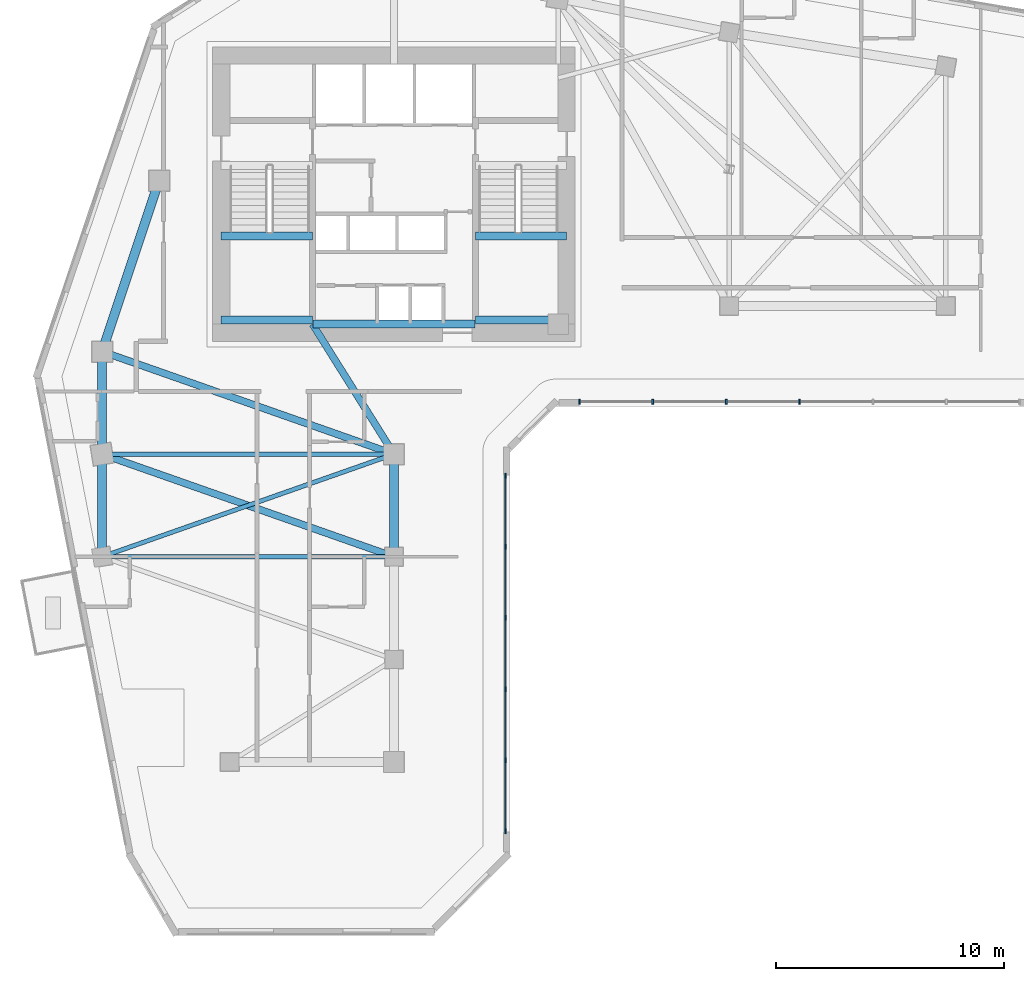
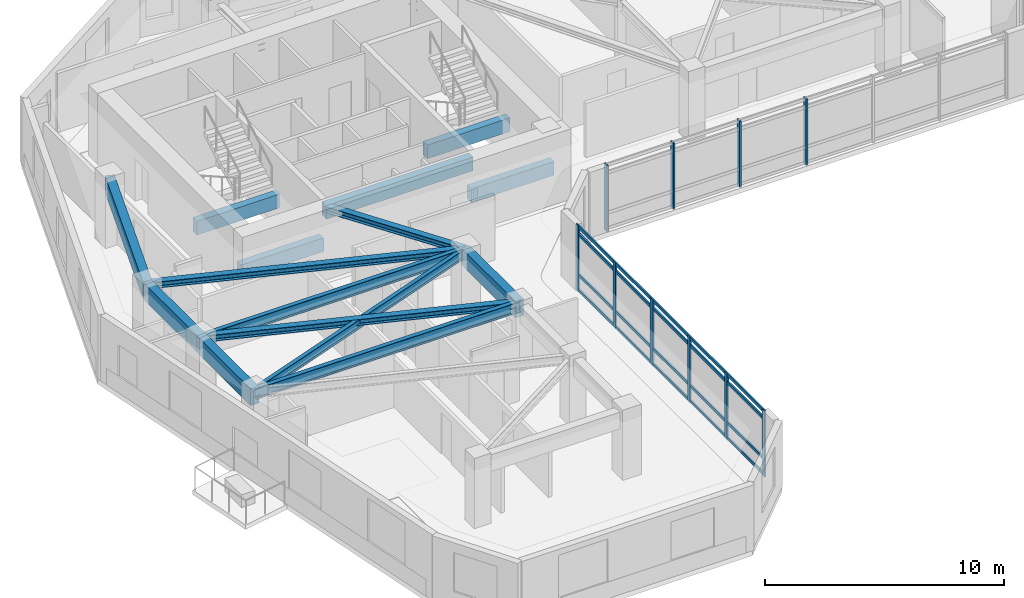
# One storey, part 2 of 11: 15 beams, 14 members, 2 elements without a shape of their own.
"""IFC4 building model written with IfcOpenShell, lengths in metres."""

from ifc_helpers import new_model, si_unit, direction, frame, origin, origin_2d, place, context, subcontext, project, spatial, rectangle, i_section, extrude, source, transform, mapped, material, material_profile, profile_set, type_object, element, aggregate, save


model = new_model("IFC4")

# Units and contexts
model_context = context("Model", 3, precision=1e-05, world=origin(), true_north=direction((0.0, 1.0)))
body_context = subcontext(model_context, "Body", "Model", "MODEL_VIEW")
ifc_project = project(units=[si_unit("LENGTHUNIT", "METRE"), si_unit("AREAUNIT", "SQUARE_METRE"), si_unit("VOLUMEUNIT", "CUBIC_METRE"), si_unit("PLANEANGLEUNIT", "RADIAN"), si_unit("MASSUNIT", "GRAM", prefix="KILO")], contexts=[model_context])

# Site, building, storey
site_placement = place(None, origin())
site = spatial("IfcSite", under=ifc_project, at=site_placement, CompositionType="ELEMENT")
building_placement = place(site_placement, origin())
building = spatial("IfcBuilding", under=site, at=building_placement, Name="Calvemar Wedge Station Tower", CompositionType="ELEMENT")
storey_placement = place(building_placement, frame((0.0, 0.0, 117.800048828125)))
storey = spatial("IfcBuildingStorey", under=building, at=storey_placement, Name="L28", CompositionType="ELEMENT", Elevation=117.800048828125)

# Beams
ifc_material_1 = material(Name="Concrete C60", Category="concrete")
ifc_material_profile_1 = material_profile(ifc_material_1, rectangle(XDim=0.39990234375, YDim=0.85009765625, at=origin_2d()), Name="RC400x850")
ifc_profile_set_1 = profile_set([ifc_material_profile_1], Name="Concrete C60")
beam_type_1 = type_object("IfcBeamType", Name="BM-SP1-850", PredefinedType="SPANDREL", material=ifc_profile_set_1)
shared_shape_1 = source(origin(), body_context, "Body", "SweptSolid", [
    extrude(rectangle(XDim=0.39990234375, YDim=0.85009765625, at=origin_2d()), origin(), (0.0, 0.0, 1.0), 7.90576171875),
])
beam_1_placement = place(storey_placement, frame((11.0, 33.0, 2.925048828125), z_axis=(0.316227766017, 0.948683298051, 0.0), x_axis=(-0.948683298051, 0.316227766017, 0.0)))
element("IfcBeam", 1, at=beam_1_placement, inside=storey, type_object=beam_type_1, Name="Storey L28 Spandrel T-NW1-T-NW2", PredefinedType="SPANDREL", context=body_context, shape_type="MappedRepresentation", body=[
    mapped(shared_shape_1, transform((0.0, 0.0, 0.0), scale=1.0)),
])
shared_shape_2 = source(origin(), body_context, "Body", "SweptSolid", [
    extrude(rectangle(XDim=0.39990234375, YDim=0.85009765625, at=origin_2d()), origin(), (0.0, 0.0, 1.0), 4.5),
])
for number, where, z_axis, x_axis, name in (
    (2, (11.0, 33.0, 2.925048828125), (0.0, -1.0, 0.0), (1.0, 0.0, 0.0), "Storey L28 Spandrel T-NW1-T-SW1"),
    (3, (11.0, 28.5, 2.925048828125), (0.0, -1.0, 0.0), (1.0, 0.0, 0.0), "Storey L28 Spandrel T-SW1-T-SW2"),
    (4, (23.800048828125, 28.5, 2.925048828125), (0.0, -1.0, 0.0), (1.0, 0.0, 0.0), "Storey L28 Spandrel T-SE1-T-SE2"),
):
    element("IfcBeam", number, at=place(storey_placement, frame(where, z_axis=z_axis, x_axis=x_axis)), inside=storey, type_object=beam_type_1, Name=name, PredefinedType="SPANDREL", context=body_context, shape_type="MappedRepresentation", body=[
        mapped(shared_shape_2, transform((0.0, 0.0, 0.0), scale=1.0)),
    ])
ifc_material_2 = material(Name="Concrete C70", Category="concrete")
ifc_material_profile_2 = material_profile(ifc_material_2, rectangle(XDim=0.35009765625, YDim=0.699951171875, at=origin_2d()), Name="RC350x700")
ifc_profile_set_2 = profile_set([ifc_material_profile_2], Name="Concrete C70")
beam_type_2 = type_object("IfcBeamType", Name="BM-LN1-700", PredefinedType="LINTEL", material=ifc_profile_set_2)
shared_shape_3 = source(origin(), body_context, "Body", "SweptSolid", [
    extrude(rectangle(XDim=0.35009765625, YDim=0.699951171875, at=origin_2d()), origin(), (0.0, 0.0, 1.0), 7.10009765625),
])
beam_2_placement = place(storey_placement, frame((20.25, 34.199951171875, 3.0), z_axis=(1.0, 0.0, 0.0), x_axis=(0.0, 1.0, 0.0)))
element("IfcBeam", 5, at=beam_2_placement, inside=storey, type_object=beam_type_2, Name="Storey L28 Core Coupling Lintel South", PredefinedType="LINTEL", context=body_context, shape_type="MappedRepresentation", body=[
    mapped(shared_shape_3, transform((0.0, 0.0, 0.0), scale=1.0)),
])
ifc_material_3 = material(Name="Structural steel ASTM A572 Grade 50", Category="steel")
ifc_material_profile_3 = material_profile(ifc_material_3, i_section(OverallWidth=0.30908203125, OverallDepth=0.322998046875, WebThickness=0.013916015625, FlangeThickness=0.02294921875, FilletRadius=0.014892578125, at=origin_2d()), Name="W310x143")
ifc_profile_set_3 = profile_set([ifc_material_profile_3], Name="Structural steel ASTM A572 Grade 50")
beam_type_3 = type_object("IfcBeamType", Name="BM-J5-W310H", PredefinedType="JOIST", material=ifc_profile_set_3)
shared_shape_4 = source(origin(), body_context, "Body", "SweptSolid", [
    extrude(i_section(OverallWidth=0.30908203125, OverallDepth=0.322998046875, WebThickness=0.013916015625, FlangeThickness=0.02294921875, FilletRadius=0.014892578125, at=origin_2d()), origin(), (0.0, 0.0, 1.0), 13.568115234375),
])
for number, where, z_axis, x_axis, name in (
    (6, (11.0, 33.0, 3.1884765625), (0.943398221169, -0.331662171939, 0.0), (0.331662171939, 0.943398221169, 0.0), "Storey L28 Floor Beam T-NW1-T-SE1"),
    (7, (11.0, 28.5, 3.1884765625), (0.943398221169, -0.331662171939, 0.0), (0.331662171939, 0.943398221169, 0.0), "Storey L28 Floor Beam T-SW1-T-SE2"),
):
    element("IfcBeam", number, at=place(storey_placement, frame(where, z_axis=z_axis, x_axis=x_axis)), inside=storey, type_object=beam_type_3, Name=name, PredefinedType="JOIST", context=body_context, shape_type="MappedRepresentation", body=[
        mapped(shared_shape_4, transform((0.0, 0.0, 0.0), scale=1.0)),
    ])
ifc_material_profile_4 = material_profile(ifc_material_3, i_section(OverallWidth=0.19189453125, OverallDepth=0.462890625, WebThickness=0.010498046875, FlangeThickness=0.017578125, FilletRadius=0.012939453125, at=origin_2d()), Name="W460x89")
ifc_profile_set_4 = profile_set([ifc_material_profile_4], Name="Structural steel ASTM A572 Grade 50")
beam_type_4 = type_object("IfcBeamType", Name="BM-J1-W460", PredefinedType="JOIST", material=ifc_profile_set_4)
shared_shape_5 = source(origin(), body_context, "Body", "SweptSolid", [
    extrude(i_section(OverallWidth=0.19189453125, OverallDepth=0.462890625, WebThickness=0.010498046875, FlangeThickness=0.017578125, FilletRadius=0.012939453125, at=origin_2d()), origin(), (0.0, 0.0, 1.0), 13.568115234375),
])
beam_3_placement = place(storey_placement, frame((23.800048828125, 28.5, 3.118408203125), z_axis=(-0.943398221169, -0.331662171939, 0.0), x_axis=(0.331662171939, -0.943398221169, 0.0)))
element("IfcBeam", 8, at=beam_3_placement, inside=storey, type_object=beam_type_4, Name="Storey L28 Floor Beam T-SE1-T-SW2", PredefinedType="JOIST", context=body_context, shape_type="MappedRepresentation", body=[
    mapped(shared_shape_5, transform((0.0, 0.0, 0.0), scale=1.0)),
])
shared_shape_6 = source(origin(), body_context, "Body", "SweptSolid", [
    extrude(i_section(OverallWidth=0.30908203125, OverallDepth=0.322998046875, WebThickness=0.013916015625, FlangeThickness=0.02294921875, FilletRadius=0.014892578125, at=origin_2d()), origin(), (0.0, 0.0, 1.0), 6.7255859375),
])
beam_4_placement = place(storey_placement, frame((20.22998046875, 34.199951171875, 3.1884765625), z_axis=(0.530811158438, -0.847490126242, 0.0), x_axis=(0.847490126242, 0.530811158438, 0.0)))
element("IfcBeam", 9, at=beam_4_placement, inside=storey, type_object=beam_type_3, Name="Storey L28 Core-to-Column Joist CJ-S2", PredefinedType="JOIST", context=body_context, shape_type="MappedRepresentation", body=[
    mapped(shared_shape_6, transform((0.0, 0.0, 0.0), scale=1.0)),
])
shared_shape_7 = source(origin(), body_context, "Body", "SweptSolid", [
    extrude(rectangle(XDim=0.35009765625, YDim=0.699951171875, at=origin_2d()), origin(), (0.0, 0.0, 1.0), 4.0048828125),
])
for number, where, z_axis, x_axis, name in (
    (10, (16.22509765625, 34.3798828125, 1.25), (1.0, 0.0, 0.0), (0.0, 1.0, 0.0), "Storey L28 Stair ST-C1 Half-Landing Beam 1A"),
    (11, (16.22509765625, 38.070068359375, 1.25), (1.0, 0.0, 0.0), (0.0, 1.0, 0.0), "Storey L28 Stair ST-C1 Half-Landing Beam 1B"),
    (12, (27.3701171875, 34.3798828125, 1.25), (1.0, 0.0, 0.0), (0.0, 1.0, 0.0), "Storey L28 Stair ST-C2 Half-Landing Beam 1A"),
    (13, (27.3701171875, 38.070068359375, 1.25), (1.0, 0.0, 0.0), (0.0, 1.0, 0.0), "Storey L28 Stair ST-C2 Half-Landing Beam 1B"),
):
    element("IfcBeam", number, at=place(storey_placement, frame(where, z_axis=z_axis, x_axis=x_axis)), inside=storey, type_object=beam_type_2, Name=name, PredefinedType="LINTEL", context=body_context, shape_type="MappedRepresentation", body=[
        mapped(shared_shape_7, transform((0.0, 0.0, 0.0), scale=1.0)),
    ])
ifc_material_profile_5 = material_profile(ifc_material_3, i_section(OverallWidth=0.2109375, OverallDepth=0.5390625, WebThickness=0.01171875, FlangeThickness=0.018798828125, FilletRadius=0.012939453125, at=origin_2d()), Name="W530x109")
ifc_profile_set_5 = profile_set([ifc_material_profile_5], Name="Structural steel ASTM A572 Grade 50")
beam_type_5 = type_object("IfcBeamType", Name="BM-SB4-W530", PredefinedType="BEAM", material=ifc_profile_set_5)
shared_shape_8 = source(origin(), body_context, "Body", "SweptSolid", [
    extrude(i_section(OverallWidth=0.2109375, OverallDepth=0.5390625, WebThickness=0.01171875, FlangeThickness=0.018798828125, FilletRadius=0.012939453125, at=origin_2d()), origin(), (0.0, 0.0, 1.0), 12.800048828125),
])
for number, where, z_axis, x_axis, name in (
    (14, (11.0, 28.5, 3.08056640625), (1.0, 0.0, 0.0), (0.0, 1.0, 0.0), "Storey L28 Floor Beam T-SW1-T-SE1"),
    (15, (11.0, 24.0, 3.08056640625), (1.0, 0.0, 0.0), (0.0, 1.0, 0.0), "Storey L28 Floor Beam T-SW2-T-SE2"),
):
    element("IfcBeam", number, at=place(storey_placement, frame(where, z_axis=z_axis, x_axis=x_axis)), inside=storey, type_object=beam_type_5, Name=name, PredefinedType="BEAM", context=body_context, shape_type="MappedRepresentation", body=[
        mapped(shared_shape_8, transform((0.0, 0.0, 0.0), scale=1.0)),
    ])

# Curtain wall, members
ifc_material_4 = material(Name="Anodised aluminium 6063-T6", Category="aluminium")
curtain_wall_type = type_object("IfcCurtainWallType", Name="CW2", PredefinedType="NOTDEFINED", material=ifc_material_4)
curtain_wall_1_placement = place(storey_placement, origin())
curtain_wall_1 = element("IfcCurtainWall", 16, at=curtain_wall_1_placement, inside=storey, type_object=curtain_wall_type, Name="Storey L28 CW2 Recessed Unitised Curtain Wall 4", PredefinedType="NOTDEFINED")
ifc_material_profile_6 = material_profile(ifc_material_4, rectangle(XDim=0.074951171875, YDim=0.219970703125, at=origin_2d()), Name="AL-MUL-75x220")
ifc_profile_set_6 = profile_set([ifc_material_profile_6], Name="Anodised aluminium 6063-T6")
member_type_1 = type_object("IfcMemberType", Name="CW2-MUL", PredefinedType="MULLION", material=ifc_profile_set_6)
shared_shape_9 = source(origin(), body_context, "Body", "SweptSolid", [
    extrude(rectangle(XDim=0.074951171875, YDim=0.219970703125, at=origin_2d()), origin(), (0.0, 0.0, 1.0), 3.39990234375),
])
member_1_placement = place(storey_placement, frame((28.68603515625, 11.962158203125, -0.050048828125), z_axis=(0.0, 0.0, 1.0), x_axis=(1.0, 0.0, 0.0)))
member_1 = element("IfcMember", 17, at=member_1_placement, type_object=member_type_1, Name="CW2 mullion 1", PredefinedType="MULLION", context=body_context, shape_type="MappedRepresentation", body=[
    mapped(shared_shape_9, transform((0.0, 0.0, 0.0), scale=1.0)),
])
member_2_placement = place(storey_placement, frame((28.68603515625, 15.08056640625, -0.050048828125), z_axis=(0.0, 0.0, 1.0), x_axis=(1.0, 0.0, 0.0)))
member_2 = element("IfcMember", 18, at=member_2_placement, type_object=member_type_1, Name="CW2 mullion 2", PredefinedType="MULLION", context=body_context, shape_type="MappedRepresentation", body=[
    mapped(shared_shape_9, transform((0.0, 0.0, 0.0), scale=1.0)),
])
member_3_placement = place(storey_placement, frame((28.68603515625, 18.198974609375, -0.050048828125), z_axis=(0.0, 0.0, 1.0), x_axis=(1.0, 0.0, 0.0)))
member_3 = element("IfcMember", 19, at=member_3_placement, type_object=member_type_1, Name="CW2 mullion 3", PredefinedType="MULLION", context=body_context, shape_type="MappedRepresentation", body=[
    mapped(shared_shape_9, transform((0.0, 0.0, 0.0), scale=1.0)),
])
member_4_placement = place(storey_placement, frame((28.68603515625, 21.3173828125, -0.050048828125), z_axis=(0.0, 0.0, 1.0), x_axis=(1.0, 0.0, 0.0)))
member_4 = element("IfcMember", 20, at=member_4_placement, type_object=member_type_1, Name="CW2 mullion 4", PredefinedType="MULLION", context=body_context, shape_type="MappedRepresentation", body=[
    mapped(shared_shape_9, transform((0.0, 0.0, 0.0), scale=1.0)),
])
member_5_placement = place(storey_placement, frame((28.68603515625, 24.435791015625, -0.050048828125), z_axis=(0.0, 0.0, 1.0), x_axis=(1.0, 0.0, 0.0)))
member_5 = element("IfcMember", 21, at=member_5_placement, type_object=member_type_1, Name="CW2 mullion 5", PredefinedType="MULLION", context=body_context, shape_type="MappedRepresentation", body=[
    mapped(shared_shape_9, transform((0.0, 0.0, 0.0), scale=1.0)),
])
member_6_placement = place(storey_placement, frame((28.68603515625, 27.55419921875, -0.050048828125), z_axis=(0.0, 0.0, 1.0), x_axis=(1.0, 0.0, 0.0)))
member_6 = element("IfcMember", 22, at=member_6_placement, type_object=member_type_1, Name="CW2 mullion 6", PredefinedType="MULLION", context=body_context, shape_type="MappedRepresentation", body=[
    mapped(shared_shape_9, transform((0.0, 0.0, 0.0), scale=1.0)),
])

curtain_wall_2_placement = place(storey_placement, origin())
curtain_wall_2 = element("IfcCurtainWall", 23, at=curtain_wall_2_placement, inside=storey, type_object=curtain_wall_type, Name="Storey L28 CW2 Recessed Unitised Curtain Wall 6", PredefinedType="NOTDEFINED")
member_7_placement = place(storey_placement, frame((31.933837890625, 30.802001953125, -0.050048828125), z_axis=(0.0, 0.0, 1.0), x_axis=(1.0, 0.0, 0.0)))
member_7 = element("IfcMember", 24, at=member_7_placement, type_object=member_type_1, Name="CW2 mullion 1", PredefinedType="MULLION", context=body_context, shape_type="MappedRepresentation", body=[
    mapped(shared_shape_9, transform((0.0, 0.0, 0.0), scale=1.0)),
])
member_8_placement = place(storey_placement, frame((35.151123046875, 30.802001953125, -0.050048828125), z_axis=(0.0, 0.0, 1.0), x_axis=(1.0, 0.0, 0.0)))
member_8 = element("IfcMember", 25, at=member_8_placement, type_object=member_type_1, Name="CW2 mullion 2", PredefinedType="MULLION", context=body_context, shape_type="MappedRepresentation", body=[
    mapped(shared_shape_9, transform((0.0, 0.0, 0.0), scale=1.0)),
])
member_9_placement = place(storey_placement, frame((38.36865234375, 30.802001953125, -0.050048828125), z_axis=(0.0, 0.0, 1.0), x_axis=(1.0, 0.0, 0.0)))
member_9 = element("IfcMember", 26, at=member_9_placement, type_object=member_type_1, Name="CW2 mullion 3", PredefinedType="MULLION", context=body_context, shape_type="MappedRepresentation", body=[
    mapped(shared_shape_9, transform((0.0, 0.0, 0.0), scale=1.0)),
])
member_10_placement = place(storey_placement, frame((41.5859375, 30.802001953125, -0.050048828125), z_axis=(0.0, 0.0, 1.0), x_axis=(1.0, 0.0, 0.0)))
member_10 = element("IfcMember", 27, at=member_10_placement, type_object=member_type_1, Name="CW2 mullion 4", PredefinedType="MULLION", context=body_context, shape_type="MappedRepresentation", body=[
    mapped(shared_shape_9, transform((0.0, 0.0, 0.0), scale=1.0)),
])
aggregate(curtain_wall_2, [member_7, member_8, member_9, member_10])

# Member
ifc_material_profile_7 = material_profile(ifc_material_4, rectangle(XDim=0.074951171875, YDim=0.14990234375, at=origin_2d()), Name="AL-TRN-75x150")
ifc_profile_set_7 = profile_set([ifc_material_profile_7], Name="Anodised aluminium 6063-T6")
member_type_2 = type_object("IfcMemberType", Name="CW2-TRN", PredefinedType="USERDEFINED", material=ifc_profile_set_7)
shared_shape_10 = source(origin(), body_context, "Body", "SweptSolid", [
    extrude(rectangle(XDim=0.074951171875, YDim=0.14990234375, at=origin_2d()), origin(), (0.0, 0.0, 1.0), 15.592041015625),
])
member_11_placement = place(storey_placement, frame((28.68603515625, 11.962158203125, 0.06005859375), z_axis=(0.0, 1.0, 0.0), x_axis=(-1.0, 0.0, 0.0)))
member_11 = element("IfcMember", 28, at=member_11_placement, type_object=member_type_2, Name="CW2 transom 1", ObjectType="TRANSOM", PredefinedType="USERDEFINED", context=body_context, shape_type="MappedRepresentation", body=[
    mapped(shared_shape_10, transform((0.0, 0.0, 0.0), scale=1.0)),
])

member_12_placement = place(storey_placement, frame((28.68603515625, 11.962158203125, 0.849853515625), z_axis=(0.0, 1.0, 0.0), x_axis=(-1.0, 0.0, 0.0)))
member_12 = element("IfcMember", 29, at=member_12_placement, type_object=member_type_2, Name="CW2 transom 2", ObjectType="TRANSOM", PredefinedType="USERDEFINED", context=body_context, shape_type="MappedRepresentation", body=[
    mapped(shared_shape_10, transform((0.0, 0.0, 0.0), scale=1.0)),
])

member_13_placement = place(storey_placement, frame((28.68603515625, 11.962158203125, 2.89990234375), z_axis=(0.0, 1.0, 0.0), x_axis=(-1.0, 0.0, 0.0)))
member_13 = element("IfcMember", 30, at=member_13_placement, type_object=member_type_2, Name="CW2 transom 3", ObjectType="TRANSOM", PredefinedType="USERDEFINED", context=body_context, shape_type="MappedRepresentation", body=[
    mapped(shared_shape_10, transform((0.0, 0.0, 0.0), scale=1.0)),
])

member_14_placement = place(storey_placement, frame((28.68603515625, 11.962158203125, 3.2900390625), z_axis=(0.0, 1.0, 0.0), x_axis=(-1.0, 0.0, 0.0)))
member_14 = element("IfcMember", 31, at=member_14_placement, type_object=member_type_2, Name="CW2 transom 4", ObjectType="TRANSOM", PredefinedType="USERDEFINED", context=body_context, shape_type="MappedRepresentation", body=[
    mapped(shared_shape_10, transform((0.0, 0.0, 0.0), scale=1.0)),
])

aggregate(curtain_wall_1, [member_1, member_2, member_3, member_4, member_5, member_6, member_11, member_12, member_13, member_14])

save(model, "model.ifc")
